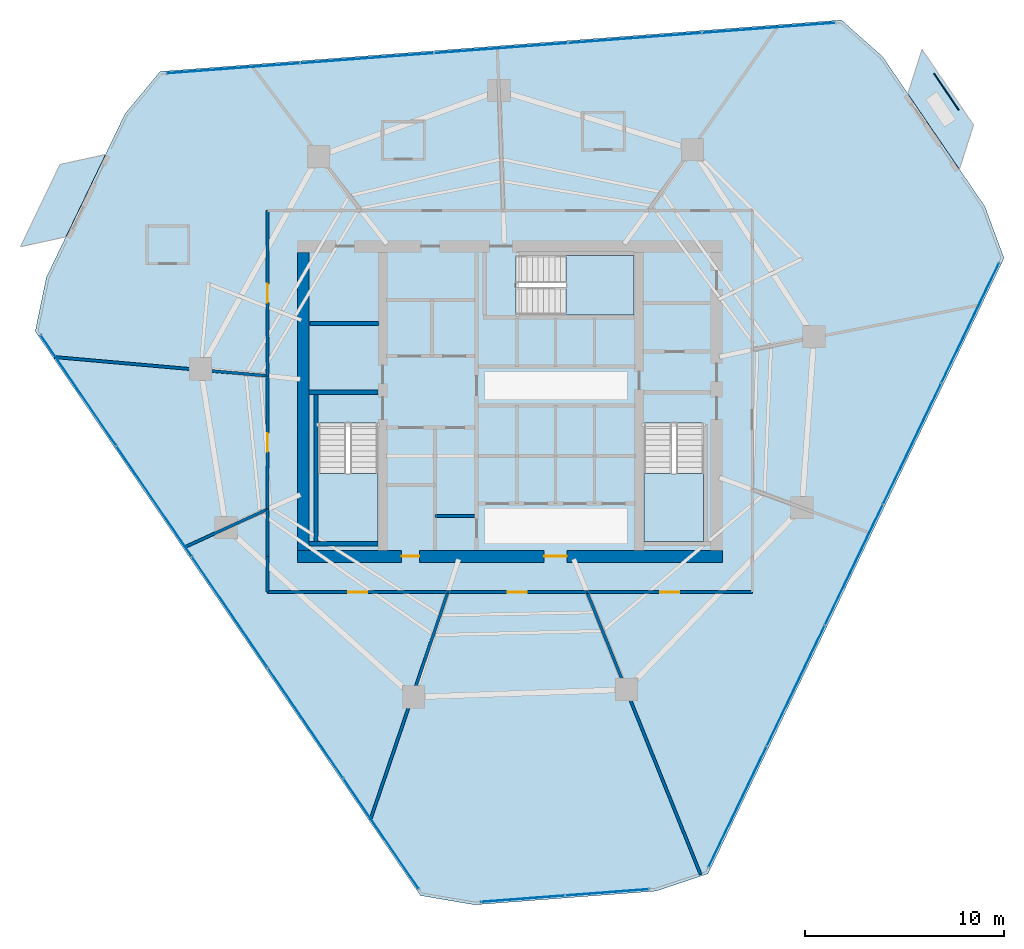
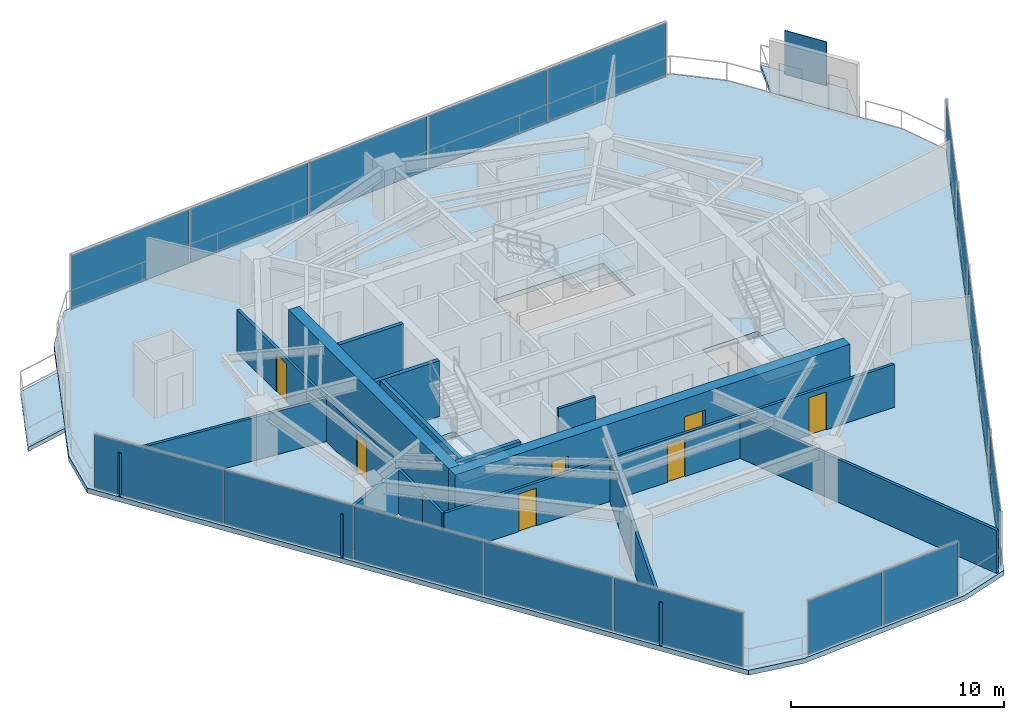
# One storey, part 24 of 30: 18 plates, 18 walls, 7 doors, 6 slabs, 7 openings, 7 elements without a shape of their own.
"""IFC4 building model written with IfcOpenShell, lengths in metres."""

from ifc_helpers import new_model, si_unit, direction, frame, frame_2d, origin, origin_2d, place, context, subcontext, project, spatial, polyline, rectangle, outline, extrude, material, layer, layer_set, type_object, element, fill, aggregate, save


model = new_model("IFC4")

# Units and contexts
model_context = context("Model", 3, precision=1e-05, world=origin(), true_north=direction((0.0, 1.0)))
body_context = subcontext(model_context, "Body", "Model", "MODEL_VIEW")
ifc_project = project(units=[si_unit("LENGTHUNIT", "METRE"), si_unit("AREAUNIT", "SQUARE_METRE"), si_unit("VOLUMEUNIT", "CUBIC_METRE"), si_unit("PLANEANGLEUNIT", "RADIAN"), si_unit("MASSUNIT", "GRAM", prefix="KILO")], contexts=[model_context])

# Site, building, storey
site_placement = place(None, origin())
site = spatial("IfcSite", under=ifc_project, at=site_placement, CompositionType="ELEMENT")
building_placement = place(site_placement, origin())
building = spatial("IfcBuilding", under=site, at=building_placement, Name="Qarnah Convention Tower", CompositionType="ELEMENT")
storey_placement = place(building_placement, frame((0.0, 0.0, 83.25)))
storey = spatial("IfcBuildingStorey", under=building, at=storey_placement, Name="L21", CompositionType="ELEMENT", Elevation=83.25)

# Curtain wall, plates
ifc_material_1 = material(Name="Tempered Low-E dark glass", Category="glass")
ifc_layer_1 = layer(ifc_material_1, 0.169921875)
ifc_layer_set_1 = layer_set([ifc_layer_1], Name="Tempered Low-E dark glass")
curtain_wall_type = type_object("IfcCurtainWallType", Name="CWS-02", PredefinedType="NOTDEFINED", material=ifc_layer_set_1)
curtain_wall_1_placement = place(storey_placement, origin())
curtain_wall_1 = element("IfcCurtainWall", 1, at=curtain_wall_1_placement, inside=storey, type_object=curtain_wall_type, Name="L21 unitised curtain wall CW-L21-F1", PredefinedType="NOTDEFINED")
ifc_layer_2 = layer(ifc_material_1, 0.030029296875)
ifc_layer_set_2 = layer_set([ifc_layer_2], Name="Tempered Low-E dark glass")
plate_type_1 = type_object("IfcPlateType", Name="PNL-T2", PredefinedType="CURTAIN_PANEL", material=ifc_layer_set_2)
plate_1_placement = place(storey_placement, frame((60.368896484375, 30.343994140625, 0.0400390625), z_axis=(0.0, 0.0, 1.0), x_axis=(-0.433332348361, -0.901234195903, 0.0)))
plate_1 = element("IfcPlate", 2, at=plate_1_placement, type_object=plate_type_1, Name="CW-L21-F1 curtain panel 1.1", PredefinedType="CURTAIN_PANEL", context=body_context, shape_type="SweptSolid", body=[
    extrude(rectangle(XDim=6.677490234375, YDim=0.030029296875, at=origin_2d()), origin(), (0.0, 0.0, 1.0), 3.090087890625),
])
plate_2_placement = place(storey_placement, frame((57.440673828125, 24.25390625, 0.0400390625), z_axis=(0.0, 0.0, 1.0), x_axis=(-0.433332348361, -0.901234195903, 0.0)))
plate_2 = element("IfcPlate", 3, at=plate_2_placement, type_object=plate_type_1, Name="CW-L21-F1 curtain panel 2.1", PredefinedType="CURTAIN_PANEL", context=body_context, shape_type="SweptSolid", body=[
    extrude(rectangle(XDim=6.677490234375, YDim=0.030029296875, at=origin_2d()), origin(), (0.0, 0.0, 1.0), 3.090087890625),
])
plate_3_placement = place(storey_placement, frame((54.512451171875, 18.1640625, 0.0400390625), z_axis=(0.0, 0.0, 1.0), x_axis=(-0.433332348361, -0.901234195903, 0.0)))
plate_3 = element("IfcPlate", 4, at=plate_3_placement, type_object=plate_type_1, Name="CW-L21-F1 curtain panel 3.1", PredefinedType="CURTAIN_PANEL", context=body_context, shape_type="SweptSolid", body=[
    extrude(rectangle(XDim=6.677490234375, YDim=0.030029296875, at=origin_2d()), origin(), (0.0, 0.0, 1.0), 3.090087890625),
])
plate_4_placement = place(storey_placement, frame((51.584228515625, 12.073974609375, 0.0400390625), z_axis=(0.0, 0.0, 1.0), x_axis=(-0.433332348361, -0.901234195903, 0.0)))
plate_4 = element("IfcPlate", 5, at=plate_4_placement, type_object=plate_type_1, Name="CW-L21-F1 curtain panel 4.1", PredefinedType="CURTAIN_PANEL", context=body_context, shape_type="SweptSolid", body=[
    extrude(rectangle(XDim=6.677490234375, YDim=0.030029296875, at=origin_2d()), origin(), (0.0, 0.0, 1.0), 3.090087890625),
])
plate_5_placement = place(storey_placement, frame((48.656005859375, 5.98388671875, 0.0400390625), z_axis=(0.0, 0.0, 1.0), x_axis=(-0.433332348361, -0.901234195903, 0.0)))
plate_5 = element("IfcPlate", 6, at=plate_5_placement, type_object=plate_type_1, Name="CW-L21-F1 curtain panel 5.1", PredefinedType="CURTAIN_PANEL", context=body_context, shape_type="SweptSolid", body=[
    extrude(rectangle(XDim=6.677490234375, YDim=0.030029296875, at=origin_2d()), origin(), (0.0, 0.0, 1.0), 3.090087890625),
])
aggregate(curtain_wall_1, [plate_1, plate_2, plate_3, plate_4, plate_5])

curtain_wall_2_placement = place(storey_placement, origin())
curtain_wall_2 = element("IfcCurtainWall", 7, at=curtain_wall_2_placement, inside=storey, type_object=curtain_wall_type, Name="L21 unitised curtain wall CW-L21-F2", PredefinedType="NOTDEFINED")
plate_6_placement = place(storey_placement, frame((23.27587890625, 43.16162109375, 0.0400390625), z_axis=(0.0, 0.0, 1.0), x_axis=(0.997158879225, 0.075327083987, 0.0)))
plate_6 = element("IfcPlate", 8, at=plate_6_placement, type_object=plate_type_1, Name="CW-L21-F2 curtain panel 1.1", PredefinedType="CURTAIN_PANEL", context=body_context, shape_type="SweptSolid", body=[
    extrude(rectangle(XDim=6.67724609375, YDim=0.030029296875, at=origin_2d()), origin(), (0.0, 0.0, 1.0), 3.090087890625),
])
plate_7_placement = place(storey_placement, frame((30.013916015625, 43.67041015625, 0.0400390625), z_axis=(0.0, 0.0, 1.0), x_axis=(0.997158879225, 0.075327083987, 0.0)))
plate_7 = element("IfcPlate", 9, at=plate_7_placement, type_object=plate_type_1, Name="CW-L21-F2 curtain panel 2.1", PredefinedType="CURTAIN_PANEL", context=body_context, shape_type="SweptSolid", body=[
    extrude(rectangle(XDim=6.67724609375, YDim=0.030029296875, at=origin_2d()), origin(), (0.0, 0.0, 1.0), 3.090087890625),
])
plate_8_placement = place(storey_placement, frame((36.751953125, 44.179443359375, 0.0400390625), z_axis=(0.0, 0.0, 1.0), x_axis=(0.997158879225, 0.075327083987, 0.0)))
plate_8 = element("IfcPlate", 10, at=plate_8_placement, type_object=plate_type_1, Name="CW-L21-F2 curtain panel 3.1", PredefinedType="CURTAIN_PANEL", context=body_context, shape_type="SweptSolid", body=[
    extrude(rectangle(XDim=6.67724609375, YDim=0.030029296875, at=origin_2d()), origin(), (0.0, 0.0, 1.0), 3.090087890625),
])
plate_9_placement = place(storey_placement, frame((43.489990234375, 44.6884765625, 0.0400390625), z_axis=(0.0, 0.0, 1.0), x_axis=(0.997158879225, 0.075327083987, 0.0)))
plate_9 = element("IfcPlate", 11, at=plate_9_placement, type_object=plate_type_1, Name="CW-L21-F2 curtain panel 4.1", PredefinedType="CURTAIN_PANEL", context=body_context, shape_type="SweptSolid", body=[
    extrude(rectangle(XDim=6.67724609375, YDim=0.030029296875, at=origin_2d()), origin(), (0.0, 0.0, 1.0), 3.090087890625),
])
plate_10_placement = place(storey_placement, frame((50.22802734375, 45.197509765625, 0.0400390625), z_axis=(0.0, 0.0, 1.0), x_axis=(0.997158879225, 0.075327083987, 0.0)))
plate_10 = element("IfcPlate", 12, at=plate_10_placement, type_object=plate_type_1, Name="CW-L21-F2 curtain panel 5.1", PredefinedType="CURTAIN_PANEL", context=body_context, shape_type="SweptSolid", body=[
    extrude(rectangle(XDim=6.67724609375, YDim=0.030029296875, at=origin_2d()), origin(), (0.0, 0.0, 1.0), 3.090087890625),
])
aggregate(curtain_wall_2, [plate_6, plate_7, plate_8, plate_9, plate_10])

curtain_wall_3_placement = place(storey_placement, origin())
curtain_wall_3 = element("IfcCurtainWall", 13, at=curtain_wall_3_placement, inside=storey, type_object=curtain_wall_type, Name="L21 unitised curtain wall CW-L21-F3", PredefinedType="NOTDEFINED")
plate_11_placement = place(storey_placement, frame((30.72119140625, 4.62939453125, 0.0400390625), z_axis=(0.0, 0.0, 1.0), x_axis=(-0.563812474561, 0.825902835404, 0.0)))
plate_11 = element("IfcPlate", 14, at=plate_11_placement, type_object=plate_type_1, Name="CW-L21-F3 curtain panel 1.1", PredefinedType="CURTAIN_PANEL", context=body_context, shape_type="SweptSolid", body=[
    extrude(rectangle(XDim=6.67724609375, YDim=0.030029296875, at=origin_2d()), origin(), (0.0, 0.0, 1.0), 3.090087890625),
])
plate_12_placement = place(storey_placement, frame((26.911376953125, 10.210205078125, 0.0400390625), z_axis=(0.0, 0.0, 1.0), x_axis=(-0.563812474561, 0.825902835404, 0.0)))
plate_12 = element("IfcPlate", 15, at=plate_12_placement, type_object=plate_type_1, Name="CW-L21-F3 curtain panel 2.1", PredefinedType="CURTAIN_PANEL", context=body_context, shape_type="SweptSolid", body=[
    extrude(rectangle(XDim=6.67724609375, YDim=0.030029296875, at=origin_2d()), origin(), (0.0, 0.0, 1.0), 3.090087890625),
])
plate_13_placement = place(storey_placement, frame((23.1015625, 15.791015625, 0.0400390625), z_axis=(0.0, 0.0, 1.0), x_axis=(-0.563812474561, 0.825902835404, 0.0)))
plate_13 = element("IfcPlate", 16, at=plate_13_placement, type_object=plate_type_1, Name="CW-L21-F3 curtain panel 3.1", PredefinedType="CURTAIN_PANEL", context=body_context, shape_type="SweptSolid", body=[
    extrude(rectangle(XDim=6.67724609375, YDim=0.030029296875, at=origin_2d()), origin(), (0.0, 0.0, 1.0), 3.090087890625),
])
plate_14_placement = place(storey_placement, frame((19.291748046875, 21.371826171875, 0.0400390625), z_axis=(0.0, 0.0, 1.0), x_axis=(-0.563812474561, 0.825902835404, 0.0)))
plate_14 = element("IfcPlate", 17, at=plate_14_placement, type_object=plate_type_1, Name="CW-L21-F3 curtain panel 4.1", PredefinedType="CURTAIN_PANEL", context=body_context, shape_type="SweptSolid", body=[
    extrude(rectangle(XDim=6.67724609375, YDim=0.030029296875, at=origin_2d()), origin(), (0.0, 0.0, 1.0), 3.090087890625),
])
plate_15_placement = place(storey_placement, frame((15.48193359375, 26.95263671875, 0.0400390625), z_axis=(0.0, 0.0, 1.0), x_axis=(-0.563812474561, 0.825902835404, 0.0)))
plate_15 = element("IfcPlate", 18, at=plate_15_placement, type_object=plate_type_1, Name="CW-L21-F3 curtain panel 5.1", PredefinedType="CURTAIN_PANEL", context=body_context, shape_type="SweptSolid", body=[
    extrude(rectangle(XDim=6.67724609375, YDim=0.030029296875, at=origin_2d()), origin(), (0.0, 0.0, 1.0), 3.090087890625),
])
aggregate(curtain_wall_3, [plate_11, plate_12, plate_13, plate_14, plate_15])

curtain_wall_4_placement = place(storey_placement, origin())
curtain_wall_4 = element("IfcCurtainWall", 19, at=curtain_wall_4_placement, inside=storey, type_object=curtain_wall_type, Name="L21 unitised curtain wall CW-L21-F4", PredefinedType="NOTDEFINED")
plate_16_placement = place(storey_placement, frame((42.101806640625, 1.68212890625, 0.0400390625), z_axis=(0.0, 0.0, 1.0), x_axis=(-0.997156980474, -0.075352214914, 0.0)))
plate_16 = element("IfcPlate", 20, at=plate_16_placement, type_object=plate_type_1, Name="CW-L21-F4 curtain panel 1.1", PredefinedType="CURTAIN_PANEL", context=body_context, shape_type="SweptSolid", body=[
    extrude(rectangle(XDim=4.1865234375, YDim=0.030029296875, at=origin_2d()), origin(), (0.0, 0.0, 1.0), 3.090087890625),
])
plate_17_placement = place(storey_placement, frame((37.84716796875, 1.36083984375, 0.0400390625), z_axis=(0.0, 0.0, 1.0), x_axis=(-0.997156980474, -0.075352214914, 0.0)))
plate_17 = element("IfcPlate", 21, at=plate_17_placement, type_object=plate_type_1, Name="CW-L21-F4 curtain panel 2.1", PredefinedType="CURTAIN_PANEL", context=body_context, shape_type="SweptSolid", body=[
    extrude(rectangle(XDim=4.1865234375, YDim=0.030029296875, at=origin_2d()), origin(), (0.0, 0.0, 1.0), 3.090087890625),
])
aggregate(curtain_wall_4, [plate_16, plate_17])

# Plate
ifc_material_2 = material(Name="Black anodised aluminium", Category="aluminium")
ifc_layer_3 = layer(ifc_material_2, 0.044921875)
ifc_layer_set_3 = layer_set([ifc_layer_3], Name="Black anodised aluminium")
plate_type_2 = type_object("IfcPlateType", Name="SCR-BAL-18", PredefinedType="USERDEFINED", material=ifc_layer_set_3)
plate_18_placement = place(storey_placement, frame((59.1689453125, 41.98388671875, 0.0), z_axis=(0.0, 0.0, 1.0), x_axis=(0.56389653831, -0.825845442006, 0.0)))
element("IfcPlate", 22, at=plate_18_placement, inside=storey, type_object=plate_type_2, Name="L21 perforated desert solar screen BAL-L21-C1", ObjectType="SCREEN", PredefinedType="USERDEFINED", context=body_context, shape_type="SweptSolid", body=[
    extrude(rectangle(XDim=2.199951171875, YDim=0.044921875, at=origin_2d()), origin(), (0.0, 0.0, 1.0), 2.5),
])

# Slabs
ifc_material_3 = material(Name="Concrete C45/55", Category="concrete")
ifc_layer_4 = layer(ifc_material_3, 0.239990234375)
ifc_layer_set_4 = layer_set([ifc_layer_4], Name="Concrete C45/55")
slab_type_1 = type_object("IfcSlabType", Name="SLB-BAL-240", PredefinedType="USERDEFINED", material=ifc_layer_set_4)
slab_1_placement = place(storey_placement, frame((0.0, 0.0, -0.239990234375)))
element("IfcSlab", 23, at=slab_1_placement, inside=storey, type_object=slab_type_1, Name="L21 cantilevered balcony slab BAL-L21-C1", ObjectType="BALCONY", PredefinedType="USERDEFINED", context=body_context, shape_type="SweptSolid", body=[
    extrude(outline(polyline([(57.945068359375, 44.112060546875), (60.5390625, 40.31298828125), (59.825927734375, 38.077880859375), (57.23193359375, 41.876953125), (57.945068359375, 44.112060546875)])), origin(), (0.0, 0.0, 1.0), 0.239990234375),
])
slab_2_placement = place(storey_placement, frame((0.0, 0.0, -0.239990234375)))
element("IfcSlab", 24, at=slab_2_placement, inside=storey, type_object=slab_type_1, Name="L21 cantilevered balcony slab BAL-L21-C2", ObjectType="BALCONY", PredefinedType="USERDEFINED", context=body_context, shape_type="SweptSolid", body=[
    extrude(outline(polyline([(12.56396484375, 34.178955078125), (14.556884765625, 38.323974609375), (16.84912109375, 38.824951171875), (14.85595703125, 34.679931640625), (12.56396484375, 34.178955078125)])), origin(), (0.0, 0.0, 1.0), 0.239990234375),
])

# Stair, slab
ifc_material_4 = material(Name="Concrete C50/60", Category="concrete")
stair_type = type_object("IfcStairType", Name="STR-HTL", PredefinedType="HALF_TURN_STAIR", material=ifc_material_4)
stair_1_placement = place(storey_placement, origin())
stair_1 = element("IfcStair", 25, at=stair_1_placement, inside=storey, type_object=stair_type, Name="L21 Core exit stair ST-1", PredefinedType="HALF_TURN_STAIR")
ifc_layer_5 = layer(ifc_material_4, 0.199951171875)
ifc_layer_set_5 = layer_set([ifc_layer_5], Name="Concrete C50/60")
slab_type_2 = type_object("IfcSlabType", Name="SLB-LANDING-200", PredefinedType="LANDING", material=ifc_layer_set_5)
slab_3_placement = place(storey_placement, frame((0.0, 0.0, 1.52490234375)))
slab_3 = element("IfcSlab", 26, at=slab_3_placement, type_object=slab_type_2, Name="ST-1 landing 1", PredefinedType="LANDING", context=body_context, shape_type="SweptSolid", body=[
    extrude(outline(polyline([(27.550048828125, 22.780029296875), (27.550048828125, 19.35009765625), (30.550048828125, 19.35009765625), (30.550048828125, 22.780029296875), (27.550048828125, 22.780029296875)])), origin(), (0.0, 0.0, 1.0), 0.2001953125),
])
aggregate(stair_1, [slab_3])

stair_2_placement = place(storey_placement, origin())
stair_2 = element("IfcStair", 27, at=stair_2_placement, inside=storey, type_object=stair_type, Name="L21 Core exit stair ST-2", PredefinedType="HALF_TURN_STAIR")
slab_4_placement = place(storey_placement, frame((0.0, 0.0, 1.52490234375)))
slab_4 = element("IfcSlab", 28, at=slab_4_placement, type_object=slab_type_2, Name="ST-2 landing 1", PredefinedType="LANDING", context=body_context, shape_type="SweptSolid", body=[
    extrude(outline(polyline([(43.949951171875, 22.780029296875), (43.949951171875, 19.35009765625), (46.949951171875, 19.35009765625), (46.949951171875, 22.780029296875), (43.949951171875, 22.780029296875)])), origin(), (0.0, 0.0, 1.0), 0.2001953125),
])
aggregate(stair_2, [slab_4])

stair_3_placement = place(storey_placement, origin())
stair_3 = element("IfcStair", 29, at=stair_3_placement, inside=storey, type_object=stair_type, Name="L21 Core exit stair ST-3", PredefinedType="HALF_TURN_STAIR")
slab_5_placement = place(storey_placement, frame((0.0, 0.0, 1.52490234375)))
slab_5 = element("IfcSlab", 30, at=slab_5_placement, type_object=slab_type_2, Name="ST-3 landing 1", PredefinedType="LANDING", context=body_context, shape_type="SweptSolid", body=[
    extrude(outline(polyline([(40.02001953125, 30.75), (43.449951171875, 30.75), (43.449951171875, 33.75), (40.02001953125, 33.75), (40.02001953125, 30.75)])), origin(), (0.0, 0.0, 1.0), 0.2001953125),
])
aggregate(stair_3, [slab_5])

# Slab
ifc_layer_6 = layer(ifc_material_3, 0.280029296875)
ifc_layer_set_6 = layer_set([ifc_layer_6], Name="Concrete C45/55")
slab_type_3 = type_object("IfcSlabType", Name="SLB-TWR-280", PredefinedType="FLOOR", material=ifc_layer_set_6)
slab_6_placement = place(storey_placement, frame((0.0, 0.0, -0.280029296875)))
element("IfcSlab", 31, at=slab_6_placement, inside=storey, type_object=slab_type_3, Name="L21 structural floor slab", PredefinedType="FLOOR", context=body_context, shape_type="SweptSolid", body=[
    extrude(outline(polyline([(53.886962890625, 45.593994140625), (19.59912109375, 43.00390625), (17.827880859375, 40.8701171875), (13.8701171875, 32.638916015625), (13.30908203125, 29.923095703125), (32.696044921875, 1.52392578125), (35.429931640625, 1.05810546875), (44.537109375, 1.74609375), (47.169921875, 2.616943359375), (62.071044921875, 33.60693359375), (61.10791015625, 36.20703125), (55.9580078125, 43.7509765625), (53.886962890625, 45.593994140625)]), holes=[polyline([(27.550048828125, 25.300048828125), (27.550048828125, 19.35009765625), (30.550048828125, 19.35009765625), (30.550048828125, 25.300048828125), (27.550048828125, 25.300048828125)]), polyline([(43.949951171875, 25.300048828125), (43.949951171875, 19.35009765625), (46.949951171875, 19.35009765625), (46.949951171875, 25.300048828125), (43.949951171875, 25.300048828125)]), polyline([(37.5, 30.75), (43.449951171875, 30.75), (43.449951171875, 33.75), (37.5, 33.75), (37.5, 30.75)])]), origin(), (0.0, 0.0, 1.0), 0.280029296875),
])

# Wall, openings, doors
ifc_material_5 = material(Name="Concrete C60/75", Category="concrete")
ifc_layer_7 = layer(ifc_material_5, 0.60009765625)
ifc_layer_set_7 = layer_set([ifc_layer_7], Name="Concrete C60/75")
wall_type_1 = type_object("IfcWallType", Name="WL-CORE-600", PredefinedType="SHEAR", material=ifc_layer_set_7)
wall_1_placement = place(storey_placement, frame((26.5, 18.60009765625, 0.0), z_axis=(0.0, 0.0, 1.0), x_axis=(1.0, 0.0, 0.0)))
wall_1 = element("IfcWall", 32, at=wall_1_placement, inside=storey, type_object=wall_type_1, Name="L21 core south shear wall", PredefinedType="SHEAR", context=body_context, shape_type="SweptSolid", body=[
    extrude(rectangle(XDim=21.39990234375, YDim=0.60009765625, at=frame_2d((10.699951171875, 0.0))), origin(), (0.0, 0.0, 1.0), 3.169921875),
])
opening_1_placement = place(wall_1_placement, frame((12.425048828125, 0.0, 0.0)))
opening_1 = element("IfcOpeningElement", 33, at=opening_1_placement, cuts=wall_1, Name="Opening D-2107", PredefinedType="OPENING", context=body_context, shape_type="SweptSolid", body=[
    extrude(rectangle(XDim=1.14990234375, YDim=2.14990234375, at=frame_2d((0.574951171875, 1.074951171875))), frame((0.0, 0.31005859375, 0.0), z_axis=(0.0, -1.0, 0.0), x_axis=(1.0, 0.0, 0.0)), (0.0, 0.0, 1.0), 0.6201171875),
])
opening_2_placement = place(wall_1_placement, frame((5.25, 0.0, 0.0)))
opening_2 = element("IfcOpeningElement", 34, at=opening_2_placement, cuts=wall_1, Name="Opening D-2113", PredefinedType="OPENING", context=body_context, shape_type="SweptSolid", body=[
    extrude(rectangle(XDim=0.89990234375, YDim=2.10009765625, at=frame_2d((0.449951171875, 1.050048828125))), frame((0.0, 0.31005859375, 0.0), z_axis=(0.0, -1.0, 0.0), x_axis=(1.0, 0.0, 0.0)), (0.0, 0.0, 1.0), 0.6201171875),
])
ifc_material_6 = material(Name="Structural steel S355JR", Category="steel")
door_type_1 = type_object("IfcDoorType", Name="DT-LOBBY-1150", OperationType="NOTDEFINED", PredefinedType="DOOR", material=ifc_material_6)
door_1_placement = place(opening_1_placement, origin())
door_1 = element("IfcDoor", 35, at=door_1_placement, inside=storey, type_object=door_type_1, Name="Door D-2107", OperationType="SINGLE_SWING_LEFT", OverallHeight=2.14990234375, OverallWidth=1.14990234375, PredefinedType="DOOR", context=body_context, shape_type="SweptSolid", body=[
    extrude(rectangle(XDim=1.14990234375, YDim=2.14990234375, at=frame_2d((0.574951171875, 1.074951171875))), frame((0.0, 0.02490234375, 0.0), z_axis=(0.0, -1.0, 0.0), x_axis=(1.0, 0.0, 0.0)), (0.0, 0.0, 1.0), 0.050048828125),
])
fill(opening_1, door_1)
door_type_2 = type_object("IfcDoorType", Name="DT-RISER-900", OperationType="NOTDEFINED", PredefinedType="DOOR", material=ifc_material_6)
door_2_placement = place(opening_2_placement, origin())
door_2 = element("IfcDoor", 36, at=door_2_placement, inside=storey, type_object=door_type_2, Name="Door D-2113", OperationType="SINGLE_SWING_LEFT", OverallHeight=2.10009765625, OverallWidth=0.89990234375, PredefinedType="DOOR", context=body_context, shape_type="SweptSolid", body=[
    extrude(rectangle(XDim=0.89990234375, YDim=2.10009765625, at=frame_2d((0.449951171875, 1.050048828125))), frame((0.0, 0.02490234375, 0.0), z_axis=(0.0, -1.0, 0.0), x_axis=(1.0, 0.0, 0.0)), (0.0, 0.0, 1.0), 0.050048828125),
])
fill(opening_2, door_2)

# Walls
wall_2_placement = place(storey_placement, frame((26.800048828125, 18.89990234375, 0.0), z_axis=(0.0, 0.0, 1.0), x_axis=(0.0, 1.0, 0.0)))
element("IfcWall", 37, at=wall_2_placement, inside=storey, type_object=wall_type_1, Name="L21 core west shear wall", PredefinedType="SHEAR", context=body_context, shape_type="SweptSolid", body=[
    extrude(rectangle(XDim=15.0, YDim=0.60009765625, at=frame_2d((7.5, 0.0))), origin(), (0.0, 0.0, 1.0), 3.169921875),
])
ifc_layer_8 = layer(ifc_material_3, 0.199951171875)
ifc_layer_set_8 = layer_set([ifc_layer_8], Name="Concrete C45/55")
wall_type_2 = type_object("IfcWallType", Name="WL-CORE-PART-200", PredefinedType="SOLIDWALL", material=ifc_layer_set_8)
wall_3_placement = place(storey_placement, frame((27.14990234375, 30.320068359375, 0.0), z_axis=(0.0, 0.0, 1.0), x_axis=(1.0, 0.0, 0.0)))
element("IfcWall", 38, at=wall_3_placement, inside=storey, type_object=wall_type_2, Name="L21 interior wall IW-L21-ELRN", PredefinedType="SOLIDWALL", context=body_context, shape_type="SweptSolid", body=[
    extrude(rectangle(XDim=3.4501953125, YDim=0.199951171875, at=frame_2d((1.72509765625, 0.0))), origin(), (0.0, 0.0, 1.0), 3.169921875),
])
ifc_layer_9 = layer(ifc_material_5, 0.219970703125)
ifc_layer_set_9 = layer_set([ifc_layer_9], Name="Concrete C60/75")
wall_type_3 = type_object("IfcWallType", Name="WL-CORE-STAIR-220", PredefinedType="SHEAR", material=ifc_layer_set_9)
wall_4_placement = place(storey_placement, frame((27.10009765625, 26.860107421875, 0.0), z_axis=(0.0, 0.0, 1.0), x_axis=(1.0, 0.0, 0.0)))
element("IfcWall", 39, at=wall_4_placement, inside=storey, type_object=wall_type_3, Name="L21 stair shaft shear wall SW-L21-ST1N", PredefinedType="SHEAR", context=body_context, shape_type="SweptSolid", body=[
    extrude(rectangle(XDim=3.449951171875, YDim=0.219970703125, at=frame_2d((1.72509765625, 0.0))), origin(), (0.0, 0.0, 1.0), 3.169921875),
])
wall_5_placement = place(storey_placement, frame((27.43994140625, 19.35009765625, 0.0), z_axis=(0.0, 0.0, 1.0), x_axis=(0.0, 1.0, 0.0)))
element("IfcWall", 40, at=wall_5_placement, inside=storey, type_object=wall_type_3, Name="L21 stair shaft shear wall SW-L21-ST1W", PredefinedType="SHEAR", context=body_context, shape_type="SweptSolid", body=[
    extrude(rectangle(XDim=7.39990234375, YDim=0.219970703125, at=frame_2d((3.699951171875, 0.0))), origin(), (0.0, 0.0, 1.0), 3.169921875),
])
wall_6_placement = place(storey_placement, frame((27.10009765625, 19.239990234375, 0.0), z_axis=(0.0, 0.0, 1.0), x_axis=(1.0, 0.0, 0.0)))
element("IfcWall", 41, at=wall_6_placement, inside=storey, type_object=wall_type_3, Name="L21 stair shaft shear wall SW-L21-ST1S", PredefinedType="SHEAR", context=body_context, shape_type="SweptSolid", body=[
    extrude(rectangle(XDim=3.449951171875, YDim=0.219970703125, at=frame_2d((1.72509765625, 0.0))), origin(), (0.0, 0.0, 1.0), 3.169921875),
])
ifc_material_7 = material(Name="Gypsum partition board")
ifc_layer_10 = layer(ifc_material_7, 0.14990234375)
ifc_layer_set_10 = layer_set([ifc_layer_10], Name="Gypsum partition board")
wall_type_4 = type_object("IfcWallType", Name="WL-SUITE-150", PredefinedType="PARTITIONING", material=ifc_layer_set_10)
wall_7_placement = place(storey_placement, frame((33.419921875, 20.6201171875, 0.0), z_axis=(0.0, 0.0, 1.0), x_axis=(1.0, 0.0, 0.0)))
element("IfcWall", 42, at=wall_7_placement, inside=storey, type_object=wall_type_4, Name="L21 interior wall IW-L21-CSV1", PredefinedType="PARTITIONING", context=body_context, shape_type="SweptSolid", body=[
    extrude(rectangle(XDim=2.0, YDim=0.14990234375, at=frame_2d((1.0, 0.0))), origin(), (0.0, 0.0, 1.0), 3.169921875),
])
wall_8_placement = place(storey_placement, frame((14.26708984375, 28.62890625, 0.0), z_axis=(0.0, 0.0, 1.0), x_axis=(0.996129850025, -0.087893810296, 0.0)))
element("IfcWall", 43, at=wall_8_placement, inside=storey, type_object=wall_type_4, Name="L21 interior wall IW-L21-R-22", PredefinedType="PARTITIONING", context=body_context, shape_type="SweptSolid", body=[
    extrude(rectangle(XDim=10.774658203125, YDim=0.14990234375, at=frame_2d((5.38720703125, 0.0))), origin(), (0.0, 0.0, 1.0), 2.467041015625),
])

# Wall, opening, door
wall_9_placement = place(storey_placement, frame((25.0, 27.681884765625, 0.0), z_axis=(0.0, 0.0, 1.0), x_axis=(0.0, 1.0, 0.0)))
wall_9 = element("IfcWall", 44, at=wall_9_placement, inside=storey, type_object=wall_type_4, Name="L21 interior wall IW-L21-R-23", PredefinedType="PARTITIONING", context=body_context, shape_type="SweptSolid", body=[
    extrude(rectangle(XDim=8.318115234375, YDim=0.14990234375, at=frame_2d((4.1591796875, 0.0))), origin(), (0.0, 0.0, 1.0), 2.455078125),
])
opening_3_placement = place(wall_9_placement, frame((3.68408203125, 0.0, 0.0)))
opening_3 = element("IfcOpeningElement", 45, at=opening_3_placement, cuts=wall_9, Name="Opening D-2121", PredefinedType="OPENING", context=body_context, shape_type="SweptSolid", body=[
    extrude(rectangle(XDim=0.949951171875, YDim=2.14990234375, at=frame_2d((0.47509765625, 1.074951171875))), frame((0.0, 0.0849609375, 0.0), z_axis=(0.0, -1.0, 0.0), x_axis=(1.0, 0.0, 0.0)), (0.0, 0.0, 1.0), 0.169921875),
])
ifc_material_8 = material(Name="Oak timber veneer", Category="wood")
door_type_3 = type_object("IfcDoorType", Name="DT-HOTEL-950", OperationType="NOTDEFINED", PredefinedType="DOOR", material=ifc_material_8)
door_3_placement = place(opening_3_placement, origin())
door_3 = element("IfcDoor", 46, at=door_3_placement, inside=storey, type_object=door_type_3, Name="Door D-2121", OperationType="SINGLE_SWING_LEFT", OverallHeight=2.14990234375, OverallWidth=0.949951171875, PredefinedType="DOOR", context=body_context, shape_type="SweptSolid", body=[
    extrude(rectangle(XDim=0.949951171875, YDim=2.14990234375, at=frame_2d((0.47509765625, 1.074951171875))), frame((0.0, 0.02490234375, 0.0), z_axis=(0.0, -1.0, 0.0), x_axis=(1.0, 0.0, 0.0)), (0.0, 0.0, 1.0), 0.050048828125),
])
fill(opening_3, door_3)

# Wall
wall_10_placement = place(storey_placement, frame((20.823974609375, 19.053955078125, 0.0), z_axis=(0.0, 0.0, 1.0), x_axis=(0.909060629126, 0.416663860412, 0.0)))
element("IfcWall", 47, at=wall_10_placement, inside=storey, type_object=wall_type_4, Name="L21 interior wall IW-L21-R-26", PredefinedType="PARTITIONING", context=body_context, shape_type="SweptSolid", body=[
    extrude(rectangle(XDim=4.59375, YDim=0.14990234375, at=frame_2d((2.296875, 0.0))), origin(), (0.0, 0.0, 1.0), 2.467041015625),
])

# Wall, opening, door
wall_11_placement = place(storey_placement, frame((25.0, 20.968017578125, 0.0), z_axis=(0.0, 0.0, 1.0), x_axis=(0.0, 1.0, 0.0)))
wall_11 = element("IfcWall", 48, at=wall_11_placement, inside=storey, type_object=wall_type_4, Name="L21 interior wall IW-L21-R-27", PredefinedType="PARTITIONING", context=body_context, shape_type="SweptSolid", body=[
    extrude(rectangle(XDim=6.7138671875, YDim=0.14990234375, at=frame_2d((3.35693359375, 0.0))), origin(), (0.0, 0.0, 1.0), 2.467041015625),
])
opening_4_placement = place(wall_11_placement, frame((2.882080078125, 0.0, 0.0)))
opening_4 = element("IfcOpeningElement", 49, at=opening_4_placement, cuts=wall_11, Name="Opening D-2123", PredefinedType="OPENING", context=body_context, shape_type="SweptSolid", body=[
    extrude(rectangle(XDim=0.949951171875, YDim=2.14990234375, at=frame_2d((0.47509765625, 1.074951171875))), frame((0.0, 0.0849609375, 0.0), z_axis=(0.0, -1.0, 0.0), x_axis=(1.0, 0.0, 0.0)), (0.0, 0.0, 1.0), 0.169921875),
])
door_4_placement = place(opening_4_placement, origin())
door_4 = element("IfcDoor", 50, at=door_4_placement, inside=storey, type_object=door_type_3, Name="Door D-2123", OperationType="SINGLE_SWING_LEFT", OverallHeight=2.14990234375, OverallWidth=0.949951171875, PredefinedType="DOOR", context=body_context, shape_type="SweptSolid", body=[
    extrude(rectangle(XDim=0.949951171875, YDim=2.14990234375, at=frame_2d((0.47509765625, 1.074951171875))), frame((0.0, 0.02490234375, 0.0), z_axis=(0.0, -1.0, 0.0), x_axis=(1.0, 0.0, 0.0)), (0.0, 0.0, 1.0), 0.050048828125),
])
fill(opening_4, door_4)

# Wall
wall_12_placement = place(storey_placement, frame((30.175048828125, 5.330078125, 0.0), z_axis=(0.0, 0.0, 1.0), x_axis=(0.322362529834, 0.946616289401, 0.0)))
element("IfcWall", 51, at=wall_12_placement, inside=storey, type_object=wall_type_4, Name="L21 interior wall IW-L21-R-28", PredefinedType="PARTITIONING", context=body_context, shape_type="SweptSolid", body=[
    extrude(rectangle(XDim=12.11669921875, YDim=0.14990234375, at=frame_2d((6.058349609375, 0.0))), origin(), (0.0, 0.0, 1.0), 2.467041015625),
])

# Wall, opening, door
wall_13_placement = place(storey_placement, frame((34.0810546875, 16.800048828125, 0.0), z_axis=(0.0, 0.0, 1.0), x_axis=(-1.0, 0.0, 0.0)))
wall_13 = element("IfcWall", 52, at=wall_13_placement, inside=storey, type_object=wall_type_4, Name="L21 interior wall IW-L21-R-29", PredefinedType="PARTITIONING", context=body_context, shape_type="SweptSolid", body=[
    extrude(rectangle(XDim=9.0810546875, YDim=0.14990234375, at=frame_2d((4.54052734375, 0.0))), origin(), (0.0, 0.0, 1.0), 2.455078125),
])
opening_5_placement = place(wall_13_placement, frame((4.06591796875, 0.0, 0.0)))
opening_5 = element("IfcOpeningElement", 53, at=opening_5_placement, cuts=wall_13, Name="Opening D-2124", PredefinedType="OPENING", context=body_context, shape_type="SweptSolid", body=[
    extrude(rectangle(XDim=0.949951171875, YDim=2.14990234375, at=frame_2d((0.47509765625, 1.074951171875))), frame((0.0, 0.0849609375, 0.0), z_axis=(0.0, -1.0, 0.0), x_axis=(1.0, 0.0, 0.0)), (0.0, 0.0, 1.0), 0.169921875),
])
door_5_placement = place(opening_5_placement, origin())
door_5 = element("IfcDoor", 54, at=door_5_placement, inside=storey, type_object=door_type_3, Name="Door D-2124", OperationType="SINGLE_SWING_RIGHT", OverallHeight=2.14990234375, OverallWidth=0.949951171875, PredefinedType="DOOR", context=body_context, shape_type="SweptSolid", body=[
    extrude(rectangle(XDim=0.949951171875, YDim=2.14990234375, at=frame_2d((0.47509765625, 1.074951171875))), frame((0.0, 0.02490234375, 0.0), z_axis=(0.0, -1.0, 0.0), x_axis=(1.0, 0.0, 0.0)), (0.0, 0.0, 1.0), 0.050048828125),
])
fill(opening_5, door_5)

# Walls
wall_14_placement = place(storey_placement, frame((25.0, 16.800048828125, 0.0), z_axis=(0.0, 0.0, 1.0), x_axis=(0.0, 1.0, 0.0)))
element("IfcWall", 55, at=wall_14_placement, inside=storey, type_object=wall_type_4, Name="L21 interior wall IW-L21-R-30", PredefinedType="PARTITIONING", context=body_context, shape_type="SweptSolid", body=[
    extrude(rectangle(XDim=1.800048828125, YDim=0.14990234375, at=frame_2d((0.89990234375, 0.0))), origin(), (0.0, 0.0, 1.0), 2.455078125),
])
wall_15_placement = place(storey_placement, frame((25.0, 18.60009765625, 0.0), z_axis=(0.0, 0.0, 1.0), x_axis=(0.0, 1.0, 0.0)))
element("IfcWall", 56, at=wall_15_placement, inside=storey, type_object=wall_type_4, Name="L21 interior wall IW-L21-R-31", PredefinedType="PARTITIONING", context=body_context, shape_type="SweptSolid", body=[
    extrude(rectangle(XDim=2.367919921875, YDim=0.14990234375, at=frame_2d((1.18408203125, 0.0))), origin(), (0.0, 0.0, 1.0), 2.467041015625),
])
wall_16_placement = place(storey_placement, frame((46.803955078125, 2.580078125, 0.0), z_axis=(0.0, 0.0, 1.0), x_axis=(-0.373462955083, 0.927645094409, 0.0)))
element("IfcWall", 57, at=wall_16_placement, inside=storey, type_object=wall_type_4, Name="L21 interior wall IW-L21-R-32", PredefinedType="PARTITIONING", context=body_context, shape_type="SweptSolid", body=[
    extrude(rectangle(XDim=15.3291015625, YDim=0.14990234375, at=frame_2d((7.66455078125, 0.0))), origin(), (0.0, 0.0, 1.0), 2.467041015625),
])

# Wall, opening, door
wall_17_placement = place(storey_placement, frame((41.0791015625, 16.800048828125, 0.0), z_axis=(0.0, 0.0, 1.0), x_axis=(-1.0, 0.0, 0.0)))
wall_17 = element("IfcWall", 58, at=wall_17_placement, inside=storey, type_object=wall_type_4, Name="L21 interior wall IW-L21-R-33", PredefinedType="PARTITIONING", context=body_context, shape_type="SweptSolid", body=[
    extrude(rectangle(XDim=6.998046875, YDim=0.14990234375, at=frame_2d((3.4990234375, 0.0))), origin(), (0.0, 0.0, 1.0), 2.467041015625),
])
opening_6_placement = place(wall_17_placement, frame((3.02392578125, 0.0, 0.0)))
opening_6 = element("IfcOpeningElement", 59, at=opening_6_placement, cuts=wall_17, Name="Opening D-2125", PredefinedType="OPENING", context=body_context, shape_type="SweptSolid", body=[
    extrude(rectangle(XDim=0.949951171875, YDim=2.14990234375, at=frame_2d((0.47509765625, 1.074951171875))), frame((0.0, 0.0849609375, 0.0), z_axis=(0.0, -1.0, 0.0), x_axis=(1.0, 0.0, 0.0)), (0.0, 0.0, 1.0), 0.169921875),
])
door_6_placement = place(opening_6_placement, origin())
door_6 = element("IfcDoor", 60, at=door_6_placement, inside=storey, type_object=door_type_3, Name="Door D-2125", OperationType="SINGLE_SWING_LEFT", OverallHeight=2.14990234375, OverallWidth=0.949951171875, PredefinedType="DOOR", context=body_context, shape_type="SweptSolid", body=[
    extrude(rectangle(XDim=0.949951171875, YDim=2.14990234375, at=frame_2d((0.47509765625, 1.074951171875))), frame((0.0, 0.02490234375, 0.0), z_axis=(0.0, -1.0, 0.0), x_axis=(1.0, 0.0, 0.0)), (0.0, 0.0, 1.0), 0.050048828125),
])
fill(opening_6, door_6)

wall_18_placement = place(storey_placement, frame((49.39990234375, 16.800048828125, 0.0), z_axis=(0.0, 0.0, 1.0), x_axis=(-1.0, 0.0, 0.0)))
wall_18 = element("IfcWall", 61, at=wall_18_placement, inside=storey, type_object=wall_type_4, Name="L21 interior wall IW-L21-R-37", PredefinedType="PARTITIONING", context=body_context, shape_type="SweptSolid", body=[
    extrude(rectangle(XDim=8.32080078125, YDim=0.14990234375, at=frame_2d((4.160400390625, 0.0))), origin(), (0.0, 0.0, 1.0), 2.455078125),
])
opening_7_placement = place(wall_18_placement, frame((3.68505859375, 0.0, 0.0)))
opening_7 = element("IfcOpeningElement", 62, at=opening_7_placement, cuts=wall_18, Name="Opening D-2126", PredefinedType="OPENING", context=body_context, shape_type="SweptSolid", body=[
    extrude(rectangle(XDim=0.949951171875, YDim=2.14990234375, at=frame_2d((0.47509765625, 1.074951171875))), frame((0.0, 0.0849609375, 0.0), z_axis=(0.0, -1.0, 0.0), x_axis=(1.0, 0.0, 0.0)), (0.0, 0.0, 1.0), 0.169921875),
])
door_7_placement = place(opening_7_placement, origin())
door_7 = element("IfcDoor", 63, at=door_7_placement, inside=storey, type_object=door_type_3, Name="Door D-2126", OperationType="SINGLE_SWING_RIGHT", OverallHeight=2.14990234375, OverallWidth=0.949951171875, PredefinedType="DOOR", context=body_context, shape_type="SweptSolid", body=[
    extrude(rectangle(XDim=0.949951171875, YDim=2.14990234375, at=frame_2d((0.47509765625, 1.074951171875))), frame((0.0, 0.02490234375, 0.0), z_axis=(0.0, -1.0, 0.0), x_axis=(1.0, 0.0, 0.0)), (0.0, 0.0, 1.0), 0.050048828125),
])
fill(opening_7, door_7)

save(model, "model.ifc")
